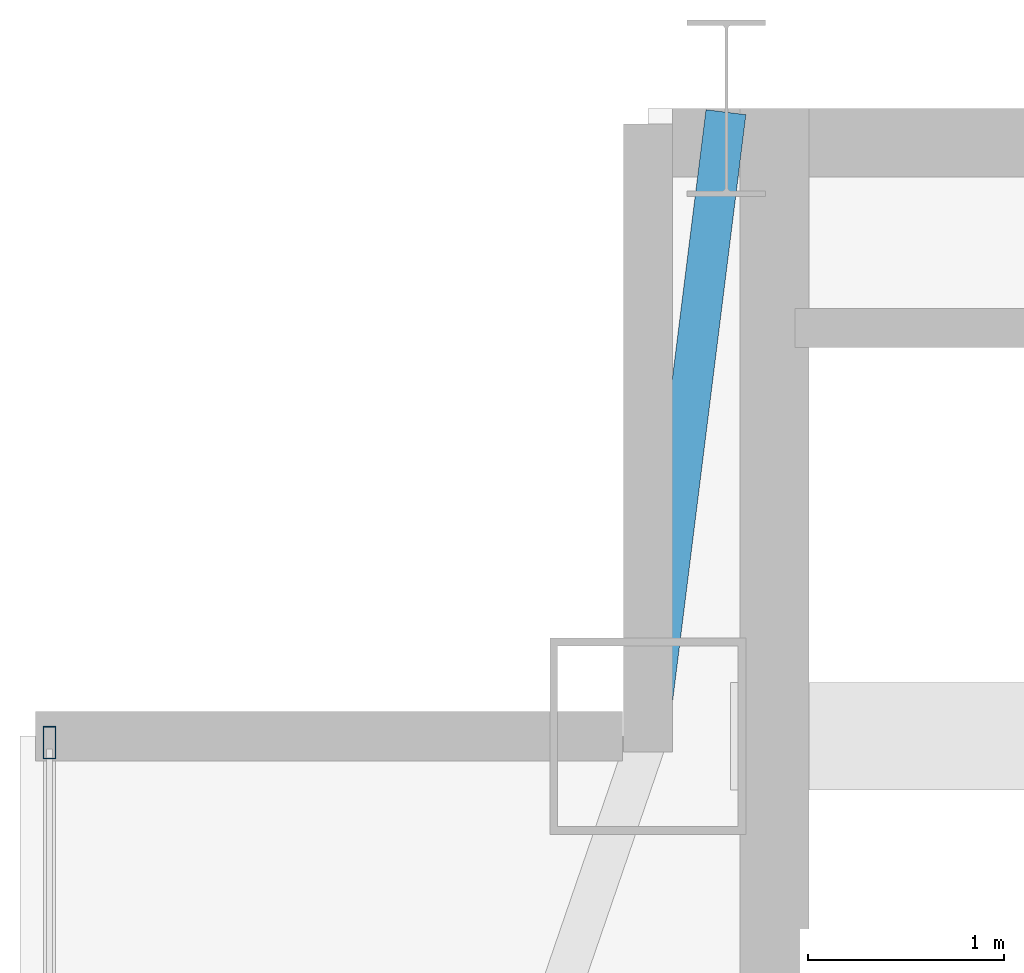
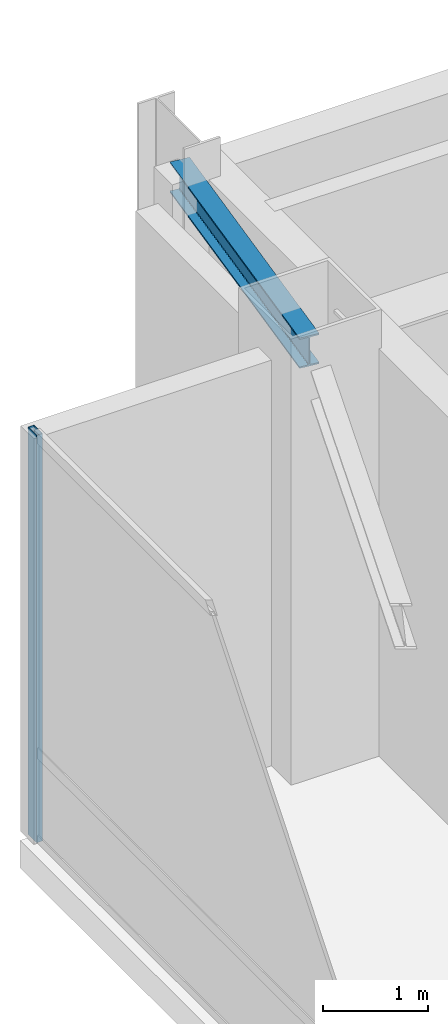
# One storey, part 12 of 20: 1 beam, 1 member, 1 element without a shape of its own.
"""IFC4 building model written with IfcOpenShell, lengths in metres."""

from ifc_helpers import new_model, si_unit, direction, frame, origin, origin_2d, place, context, subcontext, project, spatial, hollow_rectangle, i_section, extrude, source, transform, mapped, material, layer, layer_set, material_profile, profile_set, type_object, type_shapes, element, aggregate, save


model = new_model("IFC4")

# Units and contexts
model_context = context("Model", 3, precision=1e-05, world=origin(), true_north=direction((0.0, 1.0)))
body_context = subcontext(model_context, "Body", "Model", "MODEL_VIEW")
ifc_project = project(units=[si_unit("LENGTHUNIT", "METRE"), si_unit("AREAUNIT", "SQUARE_METRE"), si_unit("VOLUMEUNIT", "CUBIC_METRE"), si_unit("PLANEANGLEUNIT", "RADIAN"), si_unit("MASSUNIT", "GRAM", prefix="KILO")], contexts=[model_context])

# Site, building, storey
site_placement = place(None, origin())
site = spatial("IfcSite", under=ifc_project, at=site_placement, CompositionType="ELEMENT")
building_placement = place(site_placement, origin())
building = spatial("IfcBuilding", under=site, at=building_placement, Name="Varnel Quay Broadcast Tower", CompositionType="ELEMENT")
storey_placement = place(building_placement, frame((0.0, 0.0, 314.60009765625)))
storey = spatial("IfcBuildingStorey", under=building, at=storey_placement, Name="L78", CompositionType="ELEMENT", Elevation=314.60009765625)

# Beam
ifc_material_1 = material(Name="Structural Steel CSA G40.21 350W", Category="steel")
ifc_material_profile_1 = material_profile(ifc_material_1, i_section(OverallWidth=0.205078125, OverallDepth=0.35400390625, WebThickness=0.009521484375, FlangeThickness=0.016845703125, FilletRadius=0.012939453125, at=origin_2d()), Name="W360X79")
ifc_profile_set_1 = profile_set([ifc_material_profile_1], Name="Structural Steel CSA G40.21 350W")
beam_type = type_object("IfcBeamType", Name="Beam_W360X79", PredefinedType="SPANDREL", material=ifc_profile_set_1)
shared_shape_1 = source(origin(), body_context, "Body", "SweptSolid", [
    extrude(i_section(OverallWidth=0.205078125, OverallDepth=0.35400390625, WebThickness=0.009521484375, FlangeThickness=0.016845703125, FilletRadius=0.012939453125, at=origin_2d()), origin(), (0.0, 0.0, 1.0), 3.18505859375),
])
type_shapes(beam_type, [shared_shape_1])
beam_placement = place(storey_placement, frame((15.202392578125, 43.619873046875, 4.572998046875), z_axis=(0.124025300311, 0.992279055953, 0.0), x_axis=(-0.992279055953, 0.124025300311, 0.0)))
element("IfcBeam", 1, at=beam_placement, inside=storey, type_object=beam_type, Name="L78 NW Tie Spandrel", PredefinedType="SPANDREL", context=body_context, shape_type="MappedRepresentation", body=[
    mapped(shared_shape_1, transform((0.0, 0.0, 0.0), x_axis=(1.0, 0.0, 0.0), y_axis=(0.0, 1.0, 0.0), z_axis=(0.0, 0.0, 1.0), scale=1.0)),
])

# Curtain wall, member
ifc_material_2 = material(Name="Anodised Bronze Aluminium 6063-T6", Category="aluminium")
ifc_layer = layer(ifc_material_2, 0.18994140625, Name="Anodised Bronze Aluminium 6063-T6")
ifc_layer_set = layer_set([ifc_layer], Name="Anodised Bronze Aluminium 6063-T6")
curtain_wall_type = type_object("IfcCurtainWallType", Name="CW_UpperTower", PredefinedType="NOTDEFINED", material=ifc_layer_set)
curtain_wall_placement = place(storey_placement, origin())
curtain_wall = element("IfcCurtainWall", 2, at=curtain_wall_placement, inside=storey, type_object=curtain_wall_type, Name="L78 West Unitised Curtain Wall", PredefinedType="NOTDEFINED")
ifc_material_profile_2 = material_profile(ifc_material_2, hollow_rectangle(XDim=0.06494140625, YDim=0.1650390625, WallThickness=0.00341796875, at=origin_2d()), Name="ALU65X165X3.5")
ifc_profile_set_2 = profile_set([ifc_material_profile_2], Name="Anodised Bronze Aluminium 6063-T6")
member_type = type_object("IfcMemberType", Name="Mull_CWS-03", PredefinedType="MULLION", material=ifc_profile_set_2)
shared_shape_2 = source(origin(), body_context, "Body", "SweptSolid", [
    extrude(hollow_rectangle(XDim=0.06494140625, YDim=0.1650390625, WallThickness=0.00341796875, at=origin_2d()), origin(), (0.0, 0.0, 1.0), 4.75),
])
type_shapes(member_type, [shared_shape_2])
member_placement = place(storey_placement, frame((12.14990234375, 43.5673828125, 0.0), z_axis=(0.0, 0.0, 1.0), x_axis=(-1.0, 0.0, 0.0)))
member = element("IfcMember", 3, at=member_placement, type_object=member_type, Name="CWS-03 mullion 3", PredefinedType="MULLION", context=body_context, shape_type="MappedRepresentation", body=[
    mapped(shared_shape_2, transform((0.0, 0.0, 0.0), x_axis=(1.0, 0.0, 0.0), y_axis=(0.0, 1.0, 0.0), z_axis=(0.0, 0.0, 1.0), scale=1.0)),
])
aggregate(curtain_wall, [member])

save(model, "model.ifc")
